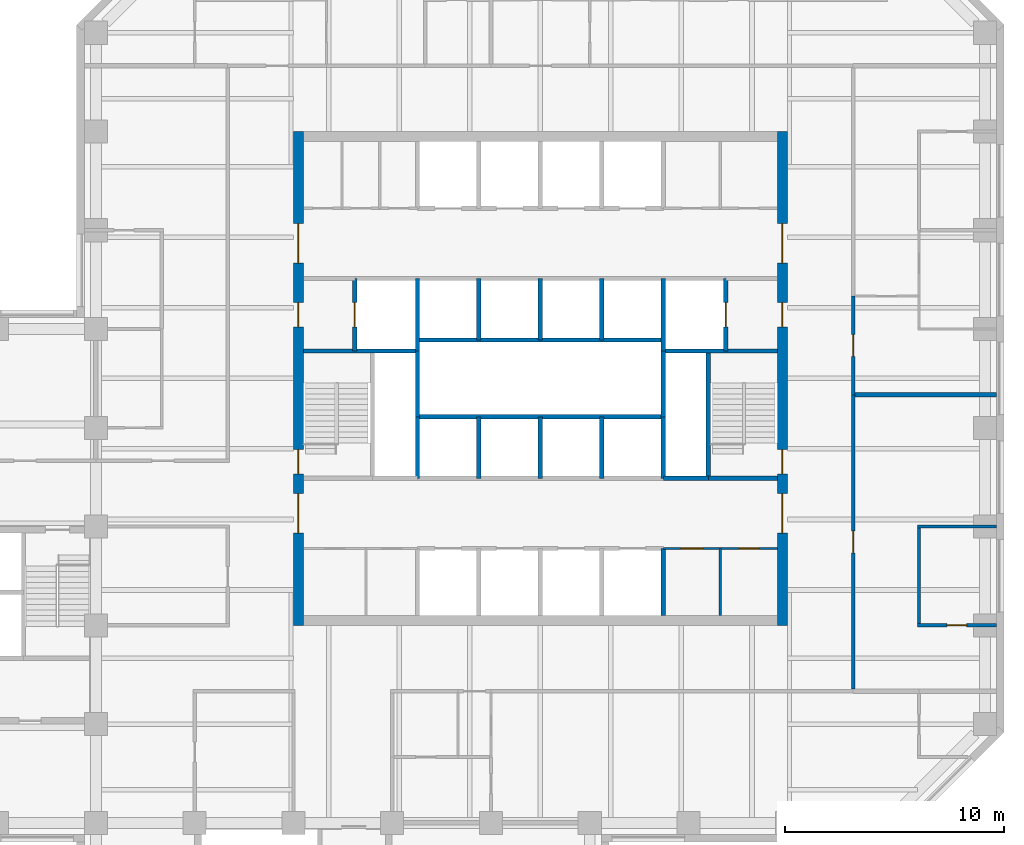
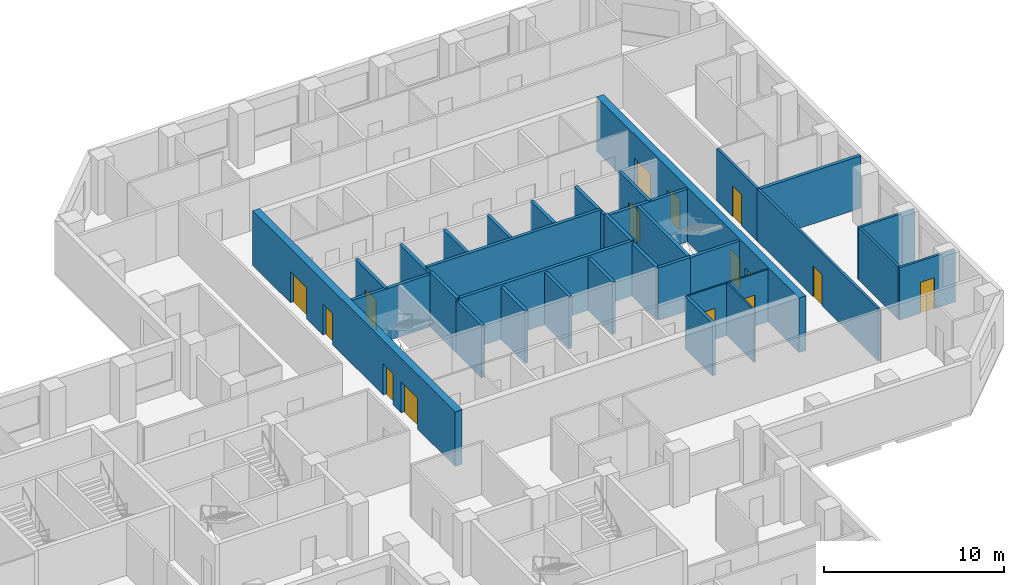
# One storey, part 7 of 11: 32 walls, 15 doors, 15 openings.
"""IFC4 building model written with IfcOpenShell, lengths in metres."""

from ifc_helpers import new_model, si_unit, direction, frame, frame_2d, origin, place, context, subcontext, project, spatial, rectangle, extrude, material, layer, layer_set, type_object, element, fill, save


model = new_model("IFC4")

# Units and contexts
model_context = context("Model", 3, precision=1e-05, world=origin(), true_north=direction((0.0, 1.0)))
body_context = subcontext(model_context, "Body", "Model", "MODEL_VIEW")
ifc_project = project(units=[si_unit("LENGTHUNIT", "METRE"), si_unit("AREAUNIT", "SQUARE_METRE"), si_unit("VOLUMEUNIT", "CUBIC_METRE"), si_unit("PLANEANGLEUNIT", "RADIAN"), si_unit("MASSUNIT", "GRAM", prefix="KILO")], contexts=[model_context])

# Site, building, storey
site_placement = place(None, origin())
site = spatial("IfcSite", under=ifc_project, at=site_placement, CompositionType="ELEMENT")
building_placement = place(site_placement, origin())
building = spatial("IfcBuilding", under=site, at=building_placement, Name="Quoin Convention Tower", CompositionType="ELEMENT")
storey_placement = place(building_placement, frame((0.0, 0.0, 115.89990234375)))
storey = spatial("IfcBuildingStorey", under=building, at=storey_placement, Name="L30", CompositionType="ELEMENT", Elevation=115.89990234375)

# Wall, opening, door
ifc_material_1 = material(Name="Plasterboard")
ifc_layer_1 = layer(ifc_material_1, 0.012451171875, Name="Finish")
ifc_material_2 = material(Name="Steel stud framing", Category="steel")
ifc_layer_2 = layer(ifc_material_2, 0.125, Name="Structure")
ifc_layer_3 = layer(ifc_material_1, 0.012451171875, Name="Finish")
ifc_layer_set_1 = layer_set([ifc_layer_1, ifc_layer_2, ifc_layer_3], Name="Steel stud framing")
wall_type_1 = type_object("IfcWallType", Name="Acoustic partition 150", PredefinedType="PARTITIONING", material=ifc_layer_set_1)
wall_1_placement = place(storey_placement, frame((73.425048828125, 49.5, 0.0), z_axis=(0.0, 0.0, 1.0), x_axis=(1.0, 0.0, 0.0)))
wall_1 = element("IfcWall", 1, at=wall_1_placement, inside=storey, type_object=wall_type_1, Name="pw-L30-028", PredefinedType="PARTITIONING", context=body_context, shape_type="SweptSolid", body=[
    extrude(rectangle(XDim=3.599853515625, YDim=0.14990234375, at=frame_2d((1.7998046875, 0.0))), origin(), (0.0, 0.0, 1.0), 3.550048828125),
])
opening_1_placement = place(wall_1_placement, frame((1.35009765625, 0.0, 0.0)))
opening_1 = element("IfcOpeningElement", 2, at=opening_1_placement, cuts=wall_1, Name="Opening DOL6-10", PredefinedType="OPENING", context=body_context, shape_type="SweptSolid", body=[
    extrude(rectangle(XDim=0.89990234375, YDim=2.10009765625, at=frame_2d((0.449951171875, 1.050048828125))), frame((0.0, 0.0849609375, 0.0), z_axis=(0.0, -1.0, 0.0), x_axis=(1.0, 0.0, 0.0)), (0.0, 0.0, 1.0), 0.169921875),
])
ifc_material_3 = material(Name="Steel door leaf", Category="steel")
door_type_1 = type_object("IfcDoorType", Name="Office door 900 x 2100", OperationType="SINGLE_SWING_RIGHT", PredefinedType="DOOR", material=ifc_material_3)
door_1_placement = place(opening_1_placement, frame((0.89990234375, 0.0, 0.0), z_axis=(0.0, 0.0, 1.0), x_axis=(-1.0, 0.0, 0.0)))
door_1 = element("IfcDoor", 3, at=door_1_placement, inside=storey, type_object=door_type_1, Name="dr-L30-24", OperationType="SINGLE_SWING_LEFT", OverallHeight=2.10009765625, OverallWidth=0.89990234375, PredefinedType="DOOR", context=body_context, shape_type="SweptSolid", body=[
    extrude(rectangle(XDim=0.89990234375, YDim=2.10009765625, at=frame_2d((0.449951171875, 1.050048828125))), frame((0.0, 0.02490234375, 0.0), z_axis=(0.0, -1.0, 0.0), x_axis=(1.0, 0.0, 0.0)), (0.0, 0.0, 1.0), 0.050048828125),
])
fill(opening_1, door_1)

# Walls
wall_2_placement = place(storey_placement, frame((73.425048828125, 54.0, 0.0), z_axis=(0.0, 0.0, 1.0), x_axis=(1.0, 0.0, 0.0)))
element("IfcWall", 4, at=wall_2_placement, inside=storey, type_object=wall_type_1, Name="pw-L30-032", PredefinedType="PARTITIONING", context=body_context, shape_type="SweptSolid", body=[
    extrude(rectangle(XDim=3.599853515625, YDim=0.14990234375, at=frame_2d((1.7998046875, 0.0))), origin(), (0.0, 0.0, 1.0), 3.550048828125),
])
wall_3_placement = place(storey_placement, frame((73.5, 49.574951171875, 0.0), z_axis=(0.0, 0.0, 1.0), x_axis=(0.0, 1.0, 0.0)))
element("IfcWall", 5, at=wall_3_placement, inside=storey, type_object=wall_type_1, Name="pw-L30-084", PredefinedType="PARTITIONING", context=body_context, shape_type="SweptSolid", body=[
    extrude(rectangle(XDim=4.35009765625, YDim=0.14990234375, at=frame_2d((2.175048828125, 0.0))), origin(), (0.0, 0.0, 1.0), 3.550048828125),
])

# Wall, openings, doors
ifc_layer_4 = layer(ifc_material_1, 0.012451171875, Name="Finish")
ifc_layer_5 = layer(ifc_material_2, 0.074951171875, Name="Structure")
ifc_layer_6 = layer(ifc_material_1, 0.012451171875, Name="Finish")
ifc_layer_set_2 = layer_set([ifc_layer_4, ifc_layer_5, ifc_layer_6], Name="Steel stud framing")
wall_type_2 = type_object("IfcWallType", Name="Core partition wall", PredefinedType="PARTITIONING", material=ifc_layer_set_2)
wall_4_placement = place(storey_placement, frame((61.85009765625, 53.0, 0.0), z_axis=(0.0, 0.0, 1.0), x_axis=(1.0, 0.0, 0.0)))
wall_4 = element("IfcWall", 6, at=wall_4_placement, inside=storey, type_object=wall_type_2, Name="cr-C1-L30-h3500_16850", PredefinedType="PARTITIONING", context=body_context, shape_type="SweptSolid", body=[
    extrude(rectangle(XDim=5.199951171875, YDim=0.10009765625, at=frame_2d((2.60009765625, 0.0))), origin(), (0.0, 0.0, 1.0), 3.550048828125),
])
opening_2_placement = place(wall_4_placement, frame((3.449951171875, 0.0, 0.0)))
opening_2 = element("IfcOpeningElement", 7, at=opening_2_placement, cuts=wall_4, Name="Opening DCV4-24", PredefinedType="OPENING", context=body_context, shape_type="SweptSolid", body=[
    extrude(rectangle(XDim=0.89990234375, YDim=2.10009765625, at=frame_2d((0.449951171875, 1.050048828125))), frame((0.0, 0.06005859375, 0.0), z_axis=(0.0, -1.0, 0.0), x_axis=(1.0, 0.0, 0.0)), (0.0, 0.0, 1.0), 0.1201171875),
])
opening_3_placement = place(wall_4_placement, frame((0.800048828125, 0.0, 0.0)))
opening_3 = element("IfcOpeningElement", 8, at=opening_3_placement, cuts=wall_4, Name="Opening DCV4-22", PredefinedType="OPENING", context=body_context, shape_type="SweptSolid", body=[
    extrude(rectangle(XDim=1.0, YDim=2.10009765625, at=frame_2d((0.5, 1.050048828125))), frame((0.0, 0.06005859375, 0.0), z_axis=(0.0, -1.0, 0.0), x_axis=(1.0, 0.0, 0.0)), (0.0, 0.0, 1.0), 0.1201171875),
])
door_type_2 = type_object("IfcDoorType", Name="Core room door 1000 x 2100", OperationType="SINGLE_SWING_LEFT", PredefinedType="DOOR", material=ifc_material_3)
door_2_placement = place(opening_3_placement, frame((1.0, 0.0, 0.0), z_axis=(0.0, 0.0, 1.0), x_axis=(-1.0, 0.0, 0.0)))
door_2 = element("IfcDoor", 9, at=door_2_placement, inside=storey, type_object=door_type_2, Name="cd-C1-L30-CSE1-lobA-CD3013", OperationType="SINGLE_SWING_RIGHT", OverallHeight=2.10009765625, OverallWidth=1.0, PredefinedType="DOOR", context=body_context, shape_type="SweptSolid", body=[
    extrude(rectangle(XDim=1.0, YDim=2.10009765625, at=frame_2d((0.5, 1.050048828125))), frame((0.0, 0.02490234375, 0.0), z_axis=(0.0, -1.0, 0.0), x_axis=(1.0, 0.0, 0.0)), (0.0, 0.0, 1.0), 0.050048828125),
])
fill(opening_3, door_2)
door_type_3 = type_object("IfcDoorType", Name="Core room door 900 x 2100", OperationType="SINGLE_SWING_LEFT", PredefinedType="DOOR", material=ifc_material_3)
door_3_placement = place(opening_2_placement, frame((0.89990234375, 0.0, 0.0), z_axis=(0.0, 0.0, 1.0), x_axis=(-1.0, 0.0, 0.0)))
door_3 = element("IfcDoor", 10, at=door_3_placement, inside=storey, type_object=door_type_3, Name="cd-C1-L30-CSE0-lobA-CD3012", OperationType="SINGLE_SWING_LEFT", OverallHeight=2.10009765625, OverallWidth=0.89990234375, PredefinedType="DOOR", context=body_context, shape_type="SweptSolid", body=[
    extrude(rectangle(XDim=0.89990234375, YDim=2.10009765625, at=frame_2d((0.449951171875, 1.050048828125))), frame((0.0, 0.02490234375, 0.0), z_axis=(0.0, -1.0, 0.0), x_axis=(1.0, 0.0, 0.0)), (0.0, 0.0, 1.0), 0.050048828125),
])
fill(opening_2, door_3)

# Walls
wall_5_placement = place(storey_placement, frame((64.449951171875, 49.949951171875, 0.0), z_axis=(0.0, 0.0, 1.0), x_axis=(0.0, 1.0, 0.0)))
element("IfcWall", 11, at=wall_5_placement, inside=storey, type_object=wall_type_2, Name="cr-C1-L30-v19450_450", PredefinedType="PARTITIONING", context=body_context, shape_type="SweptSolid", body=[
    extrude(rectangle(XDim=3.050048828125, YDim=0.10009765625, at=frame_2d((1.52490234375, 0.0))), origin(), (0.0, 0.0, 1.0), 3.550048828125),
])
ifc_material_4 = material(Name="Concrete C50", Category="concrete")
ifc_layer_7 = layer(ifc_material_4, 0.199951171875)
ifc_layer_set_3 = layer_set([ifc_layer_7], Name="Concrete C50")
wall_type_3 = type_object("IfcWallType", Name="Core shaft wall", PredefinedType="SOLIDWALL", material=ifc_layer_set_3)
wall_6_placement = place(storey_placement, frame((61.85009765625, 56.199951171875, 0.0), z_axis=(0.0, 0.0, 1.0), x_axis=(1.0, 0.0, 0.0)))
element("IfcWall", 12, at=wall_6_placement, inside=storey, type_object=wall_type_3, Name="cr-C1-L30-h6700_16850", PredefinedType="SOLIDWALL", context=body_context, shape_type="SweptSolid", body=[
    extrude(rectangle(XDim=2.0498046875, YDim=0.199951171875, at=frame_2d((1.02490234375, 0.0))), origin(), (0.0, 0.0, 1.0), 3.550048828125),
])
wall_7_placement = place(storey_placement, frame((63.89990234375, 56.199951171875, 0.0), z_axis=(0.0, 0.0, 1.0), x_axis=(1.0, 0.0, 0.0)))
element("IfcWall", 13, at=wall_7_placement, inside=storey, type_object=wall_type_3, Name="cr-C1-L30-h6700_18900", PredefinedType="SOLIDWALL", context=body_context, shape_type="SweptSolid", body=[
    extrude(rectangle(XDim=3.150146484375, YDim=0.199951171875, at=frame_2d((1.5751953125, 0.0))), origin(), (0.0, 0.0, 1.0), 3.550048828125),
])
for number, where, z_axis, x_axis, name in (
    (14, (45.449951171875, 62.0, 0.0), (0.0, 0.0, 1.0), (1.0, 0.0, 0.0), "cr-C1-L30-h12500_450"),
    (15, (61.85009765625, 62.0, 0.0), (0.0, 0.0, 1.0), (1.0, 0.0, 0.0), "cr-C1-L30-h12500_16850"),
):
    element("IfcWall", number, at=place(storey_placement, frame(where, z_axis=z_axis, x_axis=x_axis)), inside=storey, type_object=wall_type_3, Name=name, PredefinedType="SOLIDWALL", context=body_context, shape_type="SweptSolid", body=[
        extrude(rectangle(XDim=5.199951171875, YDim=0.199951171875, at=frame_2d((2.60009765625, 0.0))), origin(), (0.0, 0.0, 1.0), 3.550048828125),
    ])

# Wall, opening, door
wall_8_placement = place(storey_placement, frame((47.800048828125, 62.0, 0.0), z_axis=(0.0, 0.0, 1.0), x_axis=(0.0, 1.0, 0.0)))
wall_8 = element("IfcWall", 16, at=wall_8_placement, inside=storey, type_object=wall_type_3, Name="cr-C1-L30-v2800_12500", PredefinedType="SOLIDWALL", context=body_context, shape_type="SweptSolid", body=[
    extrude(rectangle(XDim=3.300048828125, YDim=0.199951171875, at=frame_2d((1.64990234375, 0.0))), origin(), (0.0, 0.0, 1.0), 3.550048828125),
])
opening_4_placement = place(wall_8_placement, frame((1.10009765625, 0.0, 0.0)))
opening_4 = element("IfcOpeningElement", 17, at=opening_4_placement, cuts=wall_8, Name="Opening LDFL1", PredefinedType="OPENING", context=body_context, shape_type="SweptSolid", body=[
    extrude(rectangle(XDim=1.10009765625, YDim=2.10009765625, at=frame_2d((0.550048828125, 1.050048828125))), frame((0.0, 0.10986328125, 0.0), z_axis=(0.0, -1.0, 0.0), x_axis=(1.0, 0.0, 0.0)), (0.0, 0.0, 1.0), 0.219970703125),
])
door_type_4 = type_object("IfcDoorType", Name="Lift landing door 1100 x 2100", OperationType="DOUBLE_DOOR_SLIDING", PredefinedType="DOOR", material=ifc_material_3)
door_4_placement = place(opening_4_placement, origin())
door_4 = element("IfcDoor", 18, at=door_4_placement, inside=storey, type_object=door_type_4, Name="cd-C1-L30-FLW-FFW-LDFL1", OperationType="DOUBLE_DOOR_SLIDING", OverallHeight=2.10009765625, OverallWidth=1.10009765625, PredefinedType="DOOR", context=body_context, shape_type="SweptSolid", body=[
    extrude(rectangle(XDim=1.10009765625, YDim=2.10009765625, at=frame_2d((0.550048828125, 1.050048828125))), frame((0.0, 0.02490234375, 0.0), z_axis=(0.0, -1.0, 0.0), x_axis=(1.0, 0.0, 0.0)), (0.0, 0.0, 1.0), 0.050048828125),
])
fill(opening_4, door_4)

# Walls
wall_9_placement = place(storey_placement, frame((50.64990234375, 56.199951171875, 0.0), z_axis=(0.0, 0.0, 1.0), x_axis=(0.0, 1.0, 0.0)))
element("IfcWall", 19, at=wall_9_placement, inside=storey, type_object=wall_type_3, Name="cr-C1-L30-v5650_6700", PredefinedType="SOLIDWALL", context=body_context, shape_type="SweptSolid", body=[
    extrude(rectangle(XDim=2.800048828125, YDim=0.199951171875, at=frame_2d((1.39990234375, 0.0))), origin(), (0.0, 0.0, 1.0), 3.550048828125),
])
wall_10_placement = place(storey_placement, frame((50.64990234375, 62.0, 0.0), z_axis=(0.0, 0.0, 1.0), x_axis=(0.0, 1.0, 0.0)))
element("IfcWall", 20, at=wall_10_placement, inside=storey, type_object=wall_type_3, Name="cr-C1-L30-v5650_12500", PredefinedType="SOLIDWALL", context=body_context, shape_type="SweptSolid", body=[
    extrude(rectangle(XDim=3.300048828125, YDim=0.199951171875, at=frame_2d((1.64990234375, 0.0))), origin(), (0.0, 0.0, 1.0), 3.550048828125),
])
for number, where, z_axis, x_axis, name in (
    (21, (53.449951171875, 56.199951171875, 0.0), (0.0, 0.0, 1.0), (0.0, 1.0, 0.0), "cr-C1-L30-v8450_6700"),
    (22, (53.449951171875, 62.5, 0.0), (0.0, 0.0, 1.0), (0.0, 1.0, 0.0), "cr-C1-L30-v8450_13000"),
    (23, (56.25, 56.199951171875, 0.0), (0.0, 0.0, 1.0), (0.0, 1.0, 0.0), "cr-C1-L30-v11250_6700"),
    (24, (56.25, 62.5, 0.0), (0.0, 0.0, 1.0), (0.0, 1.0, 0.0), "cr-C1-L30-v11250_13000"),
    (25, (59.050048828125, 56.199951171875, 0.0), (0.0, 0.0, 1.0), (0.0, 1.0, 0.0), "cr-C1-L30-v14050_6700"),
    (26, (59.050048828125, 62.5, 0.0), (0.0, 0.0, 1.0), (0.0, 1.0, 0.0), "cr-C1-L30-v14050_13000"),
):
    element("IfcWall", number, at=place(storey_placement, frame(where, z_axis=z_axis, x_axis=x_axis)), inside=storey, type_object=wall_type_3, Name=name, PredefinedType="SOLIDWALL", context=body_context, shape_type="SweptSolid", body=[
        extrude(rectangle(XDim=2.800048828125, YDim=0.199951171875, at=frame_2d((1.39990234375, 0.0))), origin(), (0.0, 0.0, 1.0), 3.550048828125),
    ])
wall_11_placement = place(storey_placement, frame((61.85009765625, 49.949951171875, 0.0), z_axis=(0.0, 0.0, 1.0), x_axis=(0.0, 1.0, 0.0)))
element("IfcWall", 27, at=wall_11_placement, inside=storey, type_object=wall_type_3, Name="cr-C1-L30-v16850_450", PredefinedType="SOLIDWALL", context=body_context, shape_type="SweptSolid", body=[
    extrude(rectangle(XDim=3.050048828125, YDim=0.199951171875, at=frame_2d((1.52490234375, 0.0))), origin(), (0.0, 0.0, 1.0), 3.550048828125),
])
wall_12_placement = place(storey_placement, frame((61.85009765625, 56.199951171875, 0.0), z_axis=(0.0, 0.0, 1.0), x_axis=(0.0, 1.0, 0.0)))
element("IfcWall", 28, at=wall_12_placement, inside=storey, type_object=wall_type_3, Name="cr-C1-L30-v16850_6700", PredefinedType="SOLIDWALL", context=body_context, shape_type="SweptSolid", body=[
    extrude(rectangle(XDim=2.800048828125, YDim=0.199951171875, at=frame_2d((1.39990234375, 0.0))), origin(), (0.0, 0.0, 1.0), 3.550048828125),
])
wall_13_placement = place(storey_placement, frame((61.85009765625, 62.0, 0.0), z_axis=(0.0, 0.0, 1.0), x_axis=(0.0, 1.0, 0.0)))
element("IfcWall", 29, at=wall_13_placement, inside=storey, type_object=wall_type_3, Name="cr-C1-L30-v16850_12500", PredefinedType="SOLIDWALL", context=body_context, shape_type="SweptSolid", body=[
    extrude(rectangle(XDim=3.300048828125, YDim=0.199951171875, at=frame_2d((1.64990234375, 0.0))), origin(), (0.0, 0.0, 1.0), 3.550048828125),
])
wall_14_placement = place(storey_placement, frame((63.89990234375, 56.199951171875, 0.0), z_axis=(0.0, 0.0, 1.0), x_axis=(0.0, 1.0, 0.0)))
element("IfcWall", 30, at=wall_14_placement, inside=storey, type_object=wall_type_3, Name="cr-C1-L30-v18900_6700", PredefinedType="SOLIDWALL", context=body_context, shape_type="SweptSolid", body=[
    extrude(rectangle(XDim=5.800048828125, YDim=0.199951171875, at=frame_2d((2.89990234375, 0.0))), origin(), (0.0, 0.0, 1.0), 3.550048828125),
])

# Wall, opening, door
wall_15_placement = place(storey_placement, frame((64.699951171875, 62.0, 0.0), z_axis=(0.0, 0.0, 1.0), x_axis=(0.0, 1.0, 0.0)))
wall_15 = element("IfcWall", 31, at=wall_15_placement, inside=storey, type_object=wall_type_3, Name="cr-C1-L30-v19700_12500", PredefinedType="SOLIDWALL", context=body_context, shape_type="SweptSolid", body=[
    extrude(rectangle(XDim=3.300048828125, YDim=0.199951171875, at=frame_2d((1.64990234375, 0.0))), origin(), (0.0, 0.0, 1.0), 3.550048828125),
])
opening_5_placement = place(wall_15_placement, frame((1.10009765625, 0.0, 0.0)))
opening_5 = element("IfcOpeningElement", 32, at=opening_5_placement, cuts=wall_15, Name="Opening LDFL2", PredefinedType="OPENING", context=body_context, shape_type="SweptSolid", body=[
    extrude(rectangle(XDim=1.10009765625, YDim=2.10009765625, at=frame_2d((0.550048828125, 1.050048828125))), frame((0.0, 0.10986328125, 0.0), z_axis=(0.0, -1.0, 0.0), x_axis=(1.0, 0.0, 0.0)), (0.0, 0.0, 1.0), 0.219970703125),
])
door_5_placement = place(opening_5_placement, origin())
door_5 = element("IfcDoor", 33, at=door_5_placement, inside=storey, type_object=door_type_4, Name="cd-C1-L30-FLE-FFE-LDFL2", OperationType="DOUBLE_DOOR_SLIDING", OverallHeight=2.10009765625, OverallWidth=1.10009765625, PredefinedType="DOOR", context=body_context, shape_type="SweptSolid", body=[
    extrude(rectangle(XDim=1.10009765625, YDim=2.10009765625, at=frame_2d((0.550048828125, 1.050048828125))), frame((0.0, 0.02490234375, 0.0), z_axis=(0.0, -1.0, 0.0), x_axis=(1.0, 0.0, 0.0)), (0.0, 0.0, 1.0), 0.050048828125),
])
fill(opening_5, door_5)

# Walls
ifc_layer_8 = layer(ifc_material_4, 0.199951171875)
ifc_layer_set_4 = layer_set([ifc_layer_8], Name="Concrete C50")
wall_type_4 = type_object("IfcWallType", Name="Core shaft wall to the floor level over", PredefinedType="SOLIDWALL", material=ifc_layer_set_4)
for number, where, z_axis, x_axis, name in (
    (34, (50.64990234375, 59.0, 0.0), (0.0, 0.0, 1.0), (1.0, 0.0, 0.0), "cr-C1-L30-h9500_5650"),
    (35, (50.64990234375, 62.5, 0.0), (0.0, 0.0, 1.0), (1.0, 0.0, 0.0), "cr-C1-L30-h13000_5650"),
):
    element("IfcWall", number, at=place(storey_placement, frame(where, z_axis=z_axis, x_axis=x_axis)), inside=storey, type_object=wall_type_4, Name=name, PredefinedType="SOLIDWALL", context=body_context, shape_type="SweptSolid", body=[
        extrude(rectangle(XDim=11.2001953125, YDim=0.199951171875, at=frame_2d((5.60009765625, 0.0))), origin(), (0.0, 0.0, 1.0), 3.7001953125),
    ])
for number, where, z_axis, x_axis, name in (
    (36, (50.64990234375, 59.0, 0.0), (0.0, 0.0, 1.0), (0.0, 1.0, 0.0), "cr-C1-L30-v5650_9500"),
    (37, (61.85009765625, 59.0, 0.0), (0.0, 0.0, 1.0), (0.0, 1.0, 0.0), "cr-C1-L30-v16850_9500"),
):
    element("IfcWall", number, at=place(storey_placement, frame(where, z_axis=z_axis, x_axis=x_axis)), inside=storey, type_object=wall_type_4, Name=name, PredefinedType="SOLIDWALL", context=body_context, shape_type="SweptSolid", body=[
        extrude(rectangle(XDim=3.0, YDim=0.199951171875, at=frame_2d((1.5, 0.0))), origin(), (0.0, 0.0, 1.0), 3.7001953125),
    ])

# Wall, opening, door
ifc_layer_9 = layer(ifc_material_1, 0.012451171875, Name="Finish")
ifc_layer_10 = layer(ifc_material_2, 0.125, Name="Structure")
ifc_layer_11 = layer(ifc_material_1, 0.012451171875, Name="Finish")
ifc_layer_set_5 = layer_set([ifc_layer_9, ifc_layer_10, ifc_layer_11], Name="Steel stud framing")
wall_type_5 = type_object("IfcWallType", Name="Corridor wall 150", PredefinedType="PARTITIONING", material=ifc_layer_set_5)
wall_16_placement = place(storey_placement, frame((70.5, 46.60009765625, 0.0), z_axis=(0.0, 0.0, 1.0), x_axis=(0.0, 1.0, 0.0)))
wall_16 = element("IfcWall", 38, at=wall_16_placement, inside=storey, type_object=wall_type_5, Name="pw-L30-081", PredefinedType="PARTITIONING", context=body_context, shape_type="SweptSolid", body=[
    extrude(rectangle(XDim=13.39990234375, YDim=0.14990234375, at=frame_2d((6.699951171875, 0.0))), origin(), (0.0, 0.0, 1.0), 3.550048828125),
])
opening_6_placement = place(wall_16_placement, frame((6.199951171875, 0.0, 0.0)))
opening_6 = element("IfcOpeningElement", 39, at=opening_6_placement, cuts=wall_16, Name="Opening DOL6-29", PredefinedType="OPENING", context=body_context, shape_type="SweptSolid", body=[
    extrude(rectangle(XDim=1.0, YDim=2.10009765625, at=frame_2d((0.5, 1.050048828125))), frame((0.0, 0.0849609375, 0.0), z_axis=(0.0, -1.0, 0.0), x_axis=(1.0, 0.0, 0.0)), (0.0, 0.0, 1.0), 0.169921875),
])
door_type_5 = type_object("IfcDoorType", Name="Tenancy entrance door 1000 x 2100", OperationType="DOUBLE_DOOR_SINGLE_SWING", PredefinedType="DOOR", material=ifc_material_3)
door_6_placement = place(opening_6_placement, frame((1.0, 0.0, 0.0), z_axis=(0.0, 0.0, 1.0), x_axis=(-1.0, 0.0, 0.0)))
door_6 = element("IfcDoor", 40, at=door_6_placement, inside=storey, type_object=door_type_5, Name="dr-L30-23", OperationType="DOUBLE_DOOR_SINGLE_SWING", OverallHeight=2.10009765625, OverallWidth=1.0, PredefinedType="DOOR", context=body_context, shape_type="SweptSolid", body=[
    extrude(rectangle(XDim=1.0, YDim=2.10009765625, at=frame_2d((0.5, 1.050048828125))), frame((0.0, 0.02490234375, 0.0), z_axis=(0.0, -1.0, 0.0), x_axis=(1.0, 0.0, 0.0)), (0.0, 0.0, 1.0), 0.050048828125),
])
fill(opening_6, door_6)

wall_17_placement = place(storey_placement, frame((70.5, 60.0, 0.0), z_axis=(0.0, 0.0, 1.0), x_axis=(0.0, 1.0, 0.0)))
wall_17 = element("IfcWall", 41, at=wall_17_placement, inside=storey, type_object=wall_type_5, Name="pw-L30-090", PredefinedType="PARTITIONING", context=body_context, shape_type="SweptSolid", body=[
    extrude(rectangle(XDim=4.5, YDim=0.14990234375, at=frame_2d((2.25, 0.0))), origin(), (0.0, 0.0, 1.0), 3.550048828125),
])
opening_7_placement = place(wall_17_placement, frame((1.75, 0.0, 0.0)))
opening_7 = element("IfcOpeningElement", 42, at=opening_7_placement, cuts=wall_17, Name="Opening DOL6-31", PredefinedType="OPENING", context=body_context, shape_type="SweptSolid", body=[
    extrude(rectangle(XDim=1.0, YDim=2.10009765625, at=frame_2d((0.5, 1.050048828125))), frame((0.0, 0.0849609375, 0.0), z_axis=(0.0, -1.0, 0.0), x_axis=(1.0, 0.0, 0.0)), (0.0, 0.0, 1.0), 0.169921875),
])
door_7_placement = place(opening_7_placement, frame((1.0, 0.0, 0.0), z_axis=(0.0, 0.0, 1.0), x_axis=(-1.0, 0.0, 0.0)))
door_7 = element("IfcDoor", 43, at=door_7_placement, inside=storey, type_object=door_type_5, Name="dr-L30-25", OperationType="DOUBLE_DOOR_SINGLE_SWING", OverallHeight=2.10009765625, OverallWidth=1.0, PredefinedType="DOOR", context=body_context, shape_type="SweptSolid", body=[
    extrude(rectangle(XDim=1.0, YDim=2.10009765625, at=frame_2d((0.5, 1.050048828125))), frame((0.0, 0.02490234375, 0.0), z_axis=(0.0, -1.0, 0.0), x_axis=(1.0, 0.0, 0.0)), (0.0, 0.0, 1.0), 0.050048828125),
])
fill(opening_7, door_7)

# Wall, openings, doors
ifc_material_5 = material(Name="Concrete C65", Category="concrete")
ifc_layer_12 = layer(ifc_material_5, 0.449951171875)
ifc_layer_set_6 = layer_set([ifc_layer_12], Name="Concrete C65")
wall_type_6 = type_object("IfcWallType", Name="RC CORE WALL 450 C65", PredefinedType="SHEAR", material=ifc_layer_set_6)
wall_18_placement = place(storey_placement, frame((45.22509765625, 49.5, 0.0), z_axis=(0.0, 0.0, 1.0), x_axis=(0.0, 1.0, 0.0)))
wall_18 = element("IfcWall", 44, at=wall_18_placement, inside=storey, type_object=wall_type_6, Name="cwl-C1-L30-W", PredefinedType="SHEAR", context=body_context, shape_type="SweptSolid", body=[
    extrude(rectangle(XDim=22.5, YDim=0.449951171875, at=frame_2d((11.25, 0.0))), origin(), (0.0, 0.0, 1.0), 3.7001953125),
])
opening_8_placement = place(wall_18_placement, frame((4.199951171875, 0.0, 0.0)))
opening_8 = element("IfcOpeningElement", 45, at=opening_8_placement, cuts=wall_18, Name="Opening DCV4-41", PredefinedType="OPENING", context=body_context, shape_type="SweptSolid", body=[
    extrude(rectangle(XDim=1.800048828125, YDim=2.10009765625, at=frame_2d((0.89990234375, 1.050048828125))), frame((0.0, 0.23486328125, 0.0), z_axis=(0.0, -1.0, 0.0), x_axis=(1.0, 0.0, 0.0)), (0.0, 0.0, 1.0), 0.469970703125),
])
opening_9_placement = place(wall_18_placement, frame((6.89990234375, 0.0, 0.0)))
opening_9 = element("IfcOpeningElement", 46, at=opening_9_placement, cuts=wall_18, Name="Opening SD1", PredefinedType="OPENING", context=body_context, shape_type="SweptSolid", body=[
    extrude(rectangle(XDim=1.10009765625, YDim=2.10009765625, at=frame_2d((0.550048828125, 1.050048828125))), frame((0.0, 0.23486328125, 0.0), z_axis=(0.0, -1.0, 0.0), x_axis=(1.0, 0.0, 0.0)), (0.0, 0.0, 1.0), 0.469970703125),
])
opening_10_placement = place(wall_18_placement, frame((13.60009765625, 0.0, 0.0)))
opening_10 = element("IfcOpeningElement", 47, at=opening_10_placement, cuts=wall_18, Name="Opening DCV4-40", PredefinedType="OPENING", context=body_context, shape_type="SweptSolid", body=[
    extrude(rectangle(XDim=1.10009765625, YDim=2.10009765625, at=frame_2d((0.550048828125, 1.050048828125))), frame((0.0, 0.23486328125, 0.0), z_axis=(0.0, -1.0, 0.0), x_axis=(1.0, 0.0, 0.0)), (0.0, 0.0, 1.0), 0.469970703125),
])
opening_11_placement = place(wall_18_placement, frame((16.5, 0.0, 0.0)))
opening_11 = element("IfcOpeningElement", 48, at=opening_11_placement, cuts=wall_18, Name="Opening DCV4-41", PredefinedType="OPENING", context=body_context, shape_type="SweptSolid", body=[
    extrude(rectangle(XDim=1.800048828125, YDim=2.10009765625, at=frame_2d((0.89990234375, 1.050048828125))), frame((0.0, 0.23486328125, 0.0), z_axis=(0.0, -1.0, 0.0), x_axis=(1.0, 0.0, 0.0)), (0.0, 0.0, 1.0), 0.469970703125),
])
door_type_6 = type_object("IfcDoorType", Name="Fire-fighting lobby door 1100 x 2100", OperationType="SINGLE_SWING_LEFT", PredefinedType="DOOR", material=ifc_material_3)
door_8_placement = place(opening_10_placement, frame((1.10009765625, 0.0, 0.0), z_axis=(0.0, 0.0, 1.0), x_axis=(-1.0, 0.0, 0.0)))
door_8 = element("IfcDoor", 49, at=door_8_placement, inside=storey, type_object=door_type_6, Name="cd-C1-L30-FFW-W", OperationType="SINGLE_SWING_LEFT", OverallHeight=2.10009765625, OverallWidth=1.10009765625, PredefinedType="DOOR", context=body_context, shape_type="SweptSolid", body=[
    extrude(rectangle(XDim=1.10009765625, YDim=2.10009765625, at=frame_2d((0.550048828125, 1.050048828125))), frame((0.0, 0.02490234375, 0.0), z_axis=(0.0, -1.0, 0.0), x_axis=(1.0, 0.0, 0.0)), (0.0, 0.0, 1.0), 0.050048828125),
])
fill(opening_10, door_8)
door_type_7 = type_object("IfcDoorType", Name="Lift lobby door 1800 x 2100", OperationType="SINGLE_SWING_LEFT", PredefinedType="DOOR", material=ifc_material_3)
door_9_placement = place(opening_8_placement, frame((1.800048828125, 0.0, 0.0), z_axis=(0.0, 0.0, 1.0), x_axis=(-1.0, 0.0, 0.0)))
door_9 = element("IfcDoor", 50, at=door_9_placement, inside=storey, type_object=door_type_7, Name="cd-C1-L30-lobA-W", OperationType="SINGLE_SWING_LEFT", OverallHeight=2.10009765625, OverallWidth=1.800048828125, PredefinedType="DOOR", context=body_context, shape_type="SweptSolid", body=[
    extrude(rectangle(XDim=1.800048828125, YDim=2.10009765625, at=frame_2d((0.89990234375, 1.050048828125))), frame((0.0, 0.02490234375, 0.0), z_axis=(0.0, -1.0, 0.0), x_axis=(1.0, 0.0, 0.0)), (0.0, 0.0, 1.0), 0.050048828125),
])
fill(opening_8, door_9)
door_10_placement = place(opening_11_placement, frame((1.800048828125, 0.0, 0.0), z_axis=(0.0, 0.0, 1.0), x_axis=(-1.0, 0.0, 0.0)))
door_10 = element("IfcDoor", 51, at=door_10_placement, inside=storey, type_object=door_type_7, Name="cd-C1-L30-lobB-W", OperationType="SINGLE_SWING_LEFT", OverallHeight=2.10009765625, OverallWidth=1.800048828125, PredefinedType="DOOR", context=body_context, shape_type="SweptSolid", body=[
    extrude(rectangle(XDim=1.800048828125, YDim=2.10009765625, at=frame_2d((0.89990234375, 1.050048828125))), frame((0.0, 0.02490234375, 0.0), z_axis=(0.0, -1.0, 0.0), x_axis=(1.0, 0.0, 0.0)), (0.0, 0.0, 1.0), 0.050048828125),
])
fill(opening_11, door_10)
door_type_8 = type_object("IfcDoorType", Name="Stair door 1100 x 2100", OperationType="SINGLE_SWING_RIGHT", PredefinedType="DOOR", material=ifc_material_3)
door_11_placement = place(opening_9_placement, frame((1.10009765625, 0.0, 0.0), z_axis=(0.0, 0.0, 1.0), x_axis=(-1.0, 0.0, 0.0)))
door_11 = element("IfcDoor", 52, at=door_11_placement, inside=storey, type_object=door_type_8, Name="cd-C1-L30-STW-W", OperationType="SINGLE_SWING_RIGHT", OverallHeight=2.10009765625, OverallWidth=1.10009765625, PredefinedType="DOOR", context=body_context, shape_type="SweptSolid", body=[
    extrude(rectangle(XDim=1.10009765625, YDim=2.10009765625, at=frame_2d((0.550048828125, 1.050048828125))), frame((0.0, 0.02490234375, 0.0), z_axis=(0.0, -1.0, 0.0), x_axis=(1.0, 0.0, 0.0)), (0.0, 0.0, 1.0), 0.050048828125),
])
fill(opening_9, door_11)

wall_19_placement = place(storey_placement, frame((67.27490234375, 49.5, 0.0), z_axis=(0.0, 0.0, 1.0), x_axis=(0.0, 1.0, 0.0)))
wall_19 = element("IfcWall", 53, at=wall_19_placement, inside=storey, type_object=wall_type_6, Name="cwl-C1-L30-E", PredefinedType="SHEAR", context=body_context, shape_type="SweptSolid", body=[
    extrude(rectangle(XDim=22.5, YDim=0.449951171875, at=frame_2d((11.25, 0.0))), origin(), (0.0, 0.0, 1.0), 3.7001953125),
])
opening_12_placement = place(wall_19_placement, frame((4.199951171875, 0.0, 0.0)))
opening_12 = element("IfcOpeningElement", 54, at=opening_12_placement, cuts=wall_19, Name="Opening DCV4-39", PredefinedType="OPENING", context=body_context, shape_type="SweptSolid", body=[
    extrude(rectangle(XDim=1.800048828125, YDim=2.10009765625, at=frame_2d((0.89990234375, 1.050048828125))), frame((0.0, 0.23486328125, 0.0), z_axis=(0.0, -1.0, 0.0), x_axis=(1.0, 0.0, 0.0)), (0.0, 0.0, 1.0), 0.469970703125),
])
opening_13_placement = place(wall_19_placement, frame((6.89990234375, 0.0, 0.0)))
opening_13 = element("IfcOpeningElement", 55, at=opening_13_placement, cuts=wall_19, Name="Opening SD2", PredefinedType="OPENING", context=body_context, shape_type="SweptSolid", body=[
    extrude(rectangle(XDim=1.10009765625, YDim=2.10009765625, at=frame_2d((0.550048828125, 1.050048828125))), frame((0.0, 0.23486328125, 0.0), z_axis=(0.0, -1.0, 0.0), x_axis=(1.0, 0.0, 0.0)), (0.0, 0.0, 1.0), 0.469970703125),
])
opening_14_placement = place(wall_19_placement, frame((13.60009765625, 0.0, 0.0)))
opening_14 = element("IfcOpeningElement", 56, at=opening_14_placement, cuts=wall_19, Name="Opening DCV4-38", PredefinedType="OPENING", context=body_context, shape_type="SweptSolid", body=[
    extrude(rectangle(XDim=1.10009765625, YDim=2.10009765625, at=frame_2d((0.550048828125, 1.050048828125))), frame((0.0, 0.23486328125, 0.0), z_axis=(0.0, -1.0, 0.0), x_axis=(1.0, 0.0, 0.0)), (0.0, 0.0, 1.0), 0.469970703125),
])
opening_15_placement = place(wall_19_placement, frame((16.5, 0.0, 0.0)))
opening_15 = element("IfcOpeningElement", 57, at=opening_15_placement, cuts=wall_19, Name="Opening DCV4-39", PredefinedType="OPENING", context=body_context, shape_type="SweptSolid", body=[
    extrude(rectangle(XDim=1.800048828125, YDim=2.10009765625, at=frame_2d((0.89990234375, 1.050048828125))), frame((0.0, 0.23486328125, 0.0), z_axis=(0.0, -1.0, 0.0), x_axis=(1.0, 0.0, 0.0)), (0.0, 0.0, 1.0), 0.469970703125),
])
door_12_placement = place(opening_14_placement, origin())
door_12 = element("IfcDoor", 58, at=door_12_placement, inside=storey, type_object=door_type_6, Name="cd-C1-L30-FFE-E", OperationType="SINGLE_SWING_RIGHT", OverallHeight=2.10009765625, OverallWidth=1.10009765625, PredefinedType="DOOR", context=body_context, shape_type="SweptSolid", body=[
    extrude(rectangle(XDim=1.10009765625, YDim=2.10009765625, at=frame_2d((0.550048828125, 1.050048828125))), frame((0.0, 0.02490234375, 0.0), z_axis=(0.0, -1.0, 0.0), x_axis=(1.0, 0.0, 0.0)), (0.0, 0.0, 1.0), 0.050048828125),
])
fill(opening_14, door_12)
door_13_placement = place(opening_12_placement, origin())
door_13 = element("IfcDoor", 59, at=door_13_placement, inside=storey, type_object=door_type_7, Name="cd-C1-L30-lobA-E", OperationType="SINGLE_SWING_RIGHT", OverallHeight=2.10009765625, OverallWidth=1.800048828125, PredefinedType="DOOR", context=body_context, shape_type="SweptSolid", body=[
    extrude(rectangle(XDim=1.800048828125, YDim=2.10009765625, at=frame_2d((0.89990234375, 1.050048828125))), frame((0.0, 0.02490234375, 0.0), z_axis=(0.0, -1.0, 0.0), x_axis=(1.0, 0.0, 0.0)), (0.0, 0.0, 1.0), 0.050048828125),
])
fill(opening_12, door_13)
door_14_placement = place(opening_15_placement, origin())
door_14 = element("IfcDoor", 60, at=door_14_placement, inside=storey, type_object=door_type_7, Name="cd-C1-L30-lobB-E", OperationType="SINGLE_SWING_RIGHT", OverallHeight=2.10009765625, OverallWidth=1.800048828125, PredefinedType="DOOR", context=body_context, shape_type="SweptSolid", body=[
    extrude(rectangle(XDim=1.800048828125, YDim=2.10009765625, at=frame_2d((0.89990234375, 1.050048828125))), frame((0.0, 0.02490234375, 0.0), z_axis=(0.0, -1.0, 0.0), x_axis=(1.0, 0.0, 0.0)), (0.0, 0.0, 1.0), 0.050048828125),
])
fill(opening_15, door_14)
door_15_placement = place(opening_13_placement, origin())
door_15 = element("IfcDoor", 61, at=door_15_placement, inside=storey, type_object=door_type_8, Name="cd-C1-L30-STE-E", OperationType="SINGLE_SWING_LEFT", OverallHeight=2.10009765625, OverallWidth=1.10009765625, PredefinedType="DOOR", context=body_context, shape_type="SweptSolid", body=[
    extrude(rectangle(XDim=1.10009765625, YDim=2.10009765625, at=frame_2d((0.550048828125, 1.050048828125))), frame((0.0, 0.02490234375, 0.0), z_axis=(0.0, -1.0, 0.0), x_axis=(1.0, 0.0, 0.0)), (0.0, 0.0, 1.0), 0.050048828125),
])
fill(opening_13, door_15)

# Wall
ifc_layer_13 = layer(ifc_material_1, 0.012451171875, Name="Finish")
ifc_layer_14 = layer(ifc_material_2, 0.175048828125, Name="Structure")
ifc_layer_15 = layer(ifc_material_1, 0.012451171875, Name="Finish")
ifc_layer_set_7 = layer_set([ifc_layer_13, ifc_layer_14, ifc_layer_15], Name="Steel stud framing")
wall_type_7 = type_object("IfcWallType", Name="Tenancy demising wall 200", PredefinedType="PARTITIONING", material=ifc_layer_set_7)
wall_20_placement = place(storey_placement, frame((70.574951171875, 60.0, 0.0), z_axis=(0.0, 0.0, 1.0), x_axis=(1.0, 0.0, 0.0)))
element("IfcWall", 62, at=wall_20_placement, inside=storey, type_object=wall_type_7, Name="pw-L30-037", PredefinedType="PARTITIONING", context=body_context, shape_type="SweptSolid", body=[
    extrude(rectangle(XDim=6.449951171875, YDim=0.199951171875, at=frame_2d((3.22509765625, 0.0))), origin(), (0.0, 0.0, 1.0), 3.550048828125),
])

save(model, "model.ifc")
